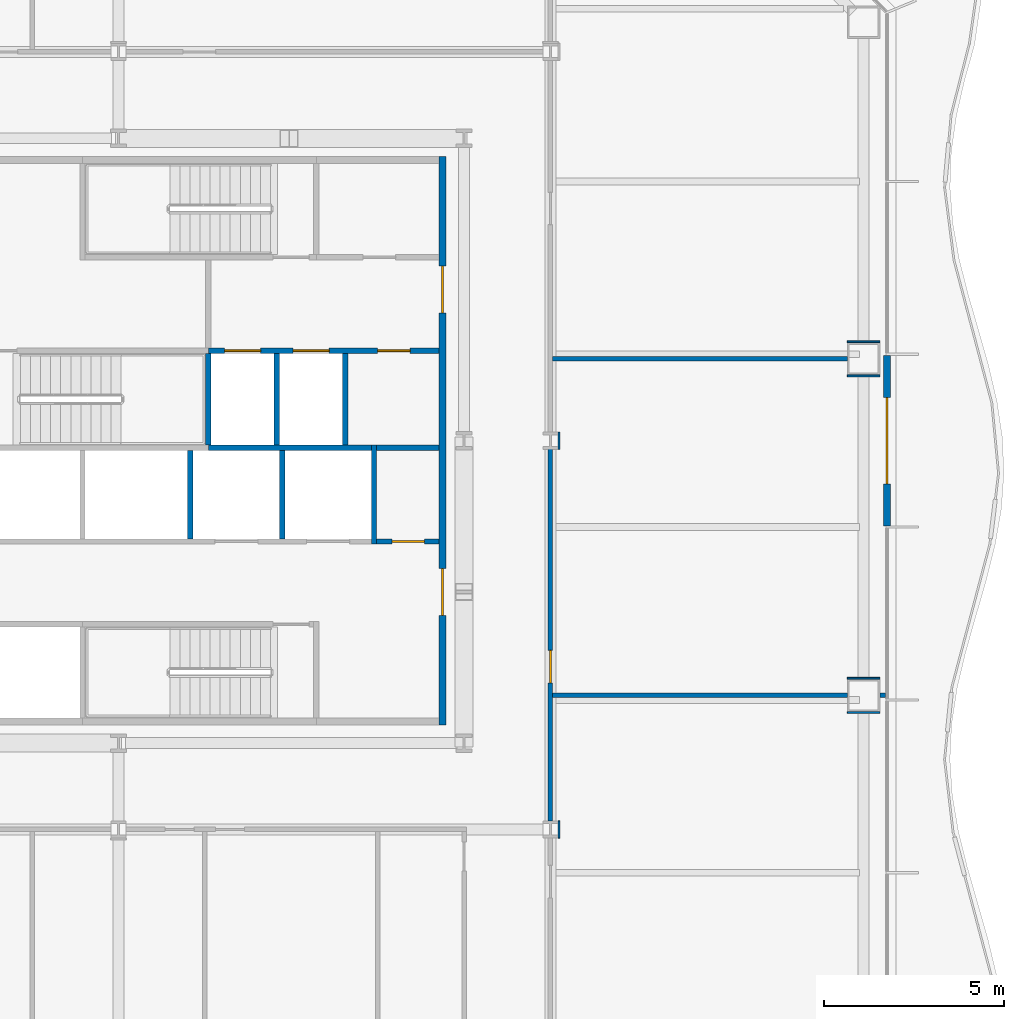
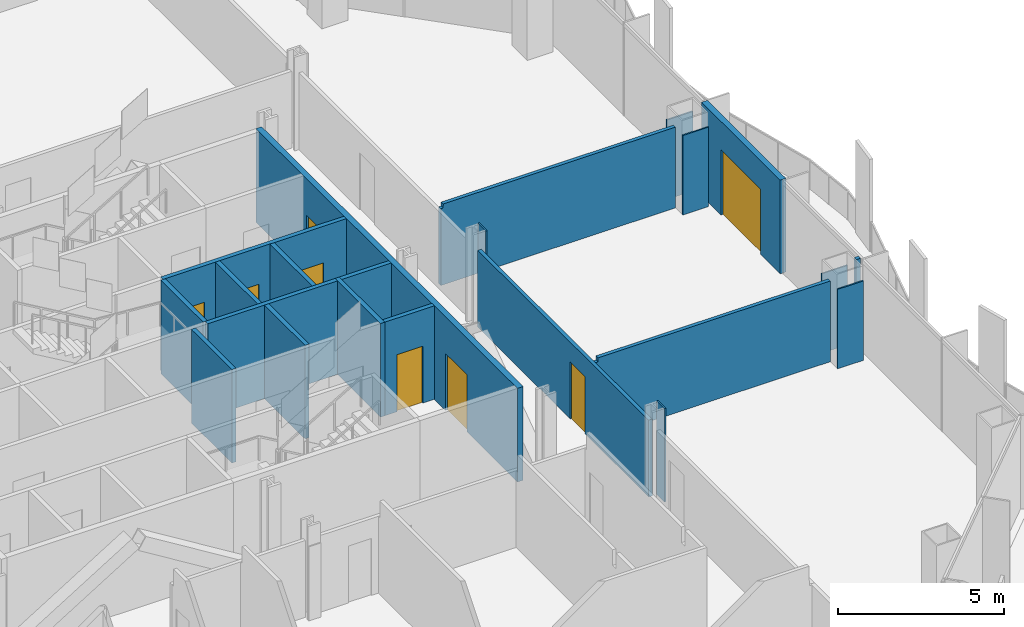
# One storey, part 9 of 18: 22 walls, 8 doors, 8 openings.
"""IFC4 building model written with IfcOpenShell, lengths in metres."""

import ifcopenshell
import ifcopenshell.guid

model = None  # the IFC model being written
_history = None  # IfcOwnerHistory: only IFC2X3 demands one
_inside = {}  # id of a spatial element -> (the spatial element, [elements in it])
_under = {}  # id of a project, library or spatial element -> (it, [spatial elements below it])
_declared = {}  # id of a project -> (the project, [libraries it declares])
_typed = {}  # id of a type object -> (the type object, [elements of that type])
_made_of = {}  # id of a material, layer set ... -> (it, [elements and type objects made of it])


def new_model(schema):
    """Start an empty IFC model of exactly this schema.

    Asked for "IFC4X3", IfcOpenShell would pick the latest addendum, in which some entities
    have other attributes; the version numbers below select the first issue.
    IFC2X3 requires an IfcOwnerHistory on every rooted entity: one is made here for all.
    """
    global model, _history
    if schema == "IFC4X3":
        model = ifcopenshell.file(schema_version=(4, 3, 0, 0))
    else:
        model = ifcopenshell.file(schema=schema)
    _inside.clear()
    _under.clear()
    _declared.clear()
    _typed.clear()
    _made_of.clear()
    _history = None
    if model.schema == "IFC2X3":
        org = make("IfcOrganization", Name="unknown")
        user = make(
            "IfcPersonAndOrganization",
            ThePerson=make("IfcPerson", FamilyName="unknown"),
            TheOrganization=org,
        )
        app = make(
            "IfcApplication",
            ApplicationDeveloper=org,
            Version="unknown",
            ApplicationFullName="unknown",
            ApplicationIdentifier="unknown",
        )
        _history = make(
            "IfcOwnerHistory",
            OwningUser=user,
            OwningApplication=app,
            ChangeAction="ADDED",
            CreationDate=0,
        )
    return model


def make(cls, **values):
    """One entity of the class cls with the attributes given. An attribute that is None is left unset."""
    return model.create_entity(
        cls, **{name: value for name, value in values.items() if value is not None}
    )


def rooted(cls, **values):
    """An entity with a GlobalId (a new one), such as an element, a storey or a relation."""
    return make(cls, GlobalId=ifcopenshell.guid.new(), OwnerHistory=_history, **values)


def si_unit(unit_type, name, prefix=None):
    """IfcSIUnit, for example si_unit("LENGTHUNIT", "METRE", prefix="MILLI")."""
    return make("IfcSIUnit", UnitType=unit_type, Prefix=prefix, Name=name)


def assignment(units):
    """IfcUnitAssignment: the units of a project."""
    return None if units is None else make("IfcUnitAssignment", Units=units)


def point(xyz):
    """IfcCartesianPoint."""
    return None if xyz is None else make("IfcCartesianPoint", Coordinates=xyz)


def direction(xyz):
    """IfcDirection."""
    return None if xyz is None else make("IfcDirection", DirectionRatios=xyz)


def frame(location, z_axis=None, x_axis=None):
    """IfcAxis2Placement3D, a coordinate frame: its origin and axes. An axis left out is left unset."""
    return make(
        "IfcAxis2Placement3D",
        Location=point(location),
        Axis=direction(z_axis),
        RefDirection=direction(x_axis),
    )


def frame_2d(location, x_axis=None):
    """IfcAxis2Placement2D, a coordinate frame in the plane: its origin and x axis."""
    return make(
        "IfcAxis2Placement2D", Location=point(location), RefDirection=direction(x_axis)
    )


def origin():
    """The frame at (0, 0, 0) with its axes left unset."""
    return frame((0.0, 0.0, 0.0))


def place(relative_to, where):
    """IfcLocalPlacement: puts the frame where relative to a parent placement (None: the world)."""
    return make(
        "IfcLocalPlacement", PlacementRelTo=relative_to, RelativePlacement=where
    )


def context(
    kind, dimensions, precision=None, world=None, true_north=None, identifier=None
):
    """IfcGeometricRepresentationContext, for example the 3D "Model" context."""
    return make(
        "IfcGeometricRepresentationContext",
        ContextIdentifier=identifier,
        ContextType=kind,
        CoordinateSpaceDimension=dimensions,
        Precision=precision,
        WorldCoordinateSystem=world,
        TrueNorth=true_north,
    )


def subcontext(parent, identifier, kind, view, scale=None):
    """IfcGeometricRepresentationSubContext, for example "Body" below "Model"."""
    return make(
        "IfcGeometricRepresentationSubContext",
        ContextIdentifier=identifier,
        ContextType=kind,
        ParentContext=parent,
        TargetScale=scale,
        TargetView=view,
    )


def project(units=None, contexts=None):
    """IfcProject with its units and contexts."""
    return rooted(
        "IfcProject",
        Name="project",
        RepresentationContexts=contexts,
        UnitsInContext=assignment(units),
    )


def spatial(cls, under=None, at=None, **own):
    """A site, building, storey or space (cls), placed at a placement, below another one or the project."""
    s = rooted(cls, ObjectPlacement=at, **own)
    if under is not None:
        _under.setdefault(under.id(), (under, []))[1].append(s)
    return s


def polyline(points):
    """IfcPolyline through the points."""
    return make("IfcPolyline", Points=[point(p) for p in points])


def profile(cls, at=None, kind="AREA", **sizes):
    """A parametric profile (cls). Its sizes go by their IFC names, for example OverallWidth=200.0."""
    return make(cls, ProfileType=kind, Position=at, **sizes)


def rectangle(**sizes):
    """IfcRectangleProfileDef."""
    return profile("IfcRectangleProfileDef", **sizes)


def outline(outer, holes=None, kind="AREA"):
    """IfcArbitraryClosedProfileDef: a profile drawn as a closed curve; with holes, ...WithVoids."""
    if holes is None:
        return make("IfcArbitraryClosedProfileDef", ProfileType=kind, OuterCurve=outer)
    return make(
        "IfcArbitraryProfileDefWithVoids",
        ProfileType=kind,
        OuterCurve=outer,
        InnerCurves=holes,
    )


def extrude(swept, where, along, depth):
    """IfcExtrudedAreaSolid: the profile swept, set in the frame where, extruded along a direction by depth."""
    return make(
        "IfcExtrudedAreaSolid",
        SweptArea=swept,
        Position=where,
        ExtrudedDirection=direction(along),
        Depth=depth,
    )


def shape(context_of_items, identifier, shape_type, items):
    """IfcShapeRepresentation: the items that make up one representation, for example the "Body"."""
    return make(
        "IfcShapeRepresentation",
        ContextOfItems=context_of_items,
        RepresentationIdentifier=identifier,
        RepresentationType=shape_type,
        Items=items,
    )


def material(Name=None, Category=None):
    """IfcMaterial."""
    return make("IfcMaterial", Name=Name, Category=Category)


def layer(
    of_material, thickness, ventilated=None, Name=None, Category=None, Priority=None
):
    """IfcMaterialLayer: one layer of a wall or slab, of a material (None: an air gap)."""
    return make(
        "IfcMaterialLayer",
        Material=of_material,
        LayerThickness=thickness,
        IsVentilated=ventilated,
        Name=Name,
        Category=Category,
        Priority=Priority,
    )


def layer_set(layers, Name=None):
    """IfcMaterialLayerSet."""
    return make("IfcMaterialLayerSet", MaterialLayers=layers, LayerSetName=Name)


def made_of(thing, what):
    """Note that an element or type object is made of a material, layer set ...; save() writes the relation."""
    if what is not None:
        _made_of.setdefault(what.id(), (what, []))[1].append(thing)
    return thing


def type_object(cls, material=None, **own):
    """A type object (cls), such as IfcWallType, which elements share."""
    return made_of(rooted(cls, **own), material)


def element(
    cls,
    number,
    at=None,
    inside=None,
    cuts=None,
    type_object=None,
    material=None,
    context=None,
    identifier="Body",
    shape_type=None,
    held_by="IfcProductDefinitionShape",
    body=None,
    shapes=None,
    **own,
):
    """One element of the class cls, such as IfcWall. Its Tag is "e" and its number.

    at: its placement. inside: the storey or other place that contains it. cuts: it is an
    opening in that element (IfcRelVoidsElement). A single representation is given by context,
    identifier, shape_type and body (its items); several are given by shapes. held_by: the class
    of the entity that holds the representations. save() writes the other relations.
    """
    e = rooted(cls, Tag="e%d" % number, ObjectPlacement=at, **own)
    if body is not None:
        shapes = [shape(context, identifier, shape_type, body)]
    if shapes is not None:
        e.Representation = make(held_by, Representations=shapes)
    if inside is not None:
        _inside.setdefault(inside.id(), (inside, []))[1].append(e)
    if cuts is not None:
        rooted(
            "IfcRelVoidsElement", RelatingBuildingElement=cuts, RelatedOpeningElement=e
        )
    if type_object is not None:
        _typed.setdefault(type_object.id(), (type_object, []))[1].append(e)
    return made_of(e, material)


def fill(opening, filler):
    """IfcRelFillsElement: the door or window that sits in an opening."""
    return rooted(
        "IfcRelFillsElement",
        RelatingOpeningElement=opening,
        RelatedBuildingElement=filler,
    )


def aggregate(whole, parts):
    """IfcRelAggregates: a whole, such as a stair, and the parts it consists of."""
    return rooted("IfcRelAggregates", RelatingObject=whole, RelatedObjects=parts)


def save(model, path):
    """Write the relations noted so far, then the file.

    IfcRelAggregates (storeys below a building ...), IfcRelContainedInSpatialStructure (elements
    in a storey), IfcRelDefinesByType, IfcRelAssociatesMaterial and IfcRelDeclares: one each for
    every whole, place, type object, material and project.
    """
    for whole, parts in _under.values():
        aggregate(whole, parts)
    for where, things in _inside.values():
        rooted(
            "IfcRelContainedInSpatialStructure",
            RelatedElements=things,
            RelatingStructure=where,
        )
    for kind, things in _typed.values():
        rooted("IfcRelDefinesByType", RelatedObjects=things, RelatingType=kind)
    for what, things in _made_of.values():
        rooted("IfcRelAssociatesMaterial", RelatedObjects=things, RelatingMaterial=what)
    for by, libraries in _declared.values():
        rooted("IfcRelDeclares", RelatingContext=by, RelatedDefinitions=libraries)
    model.write(path)


model = new_model("IFC4")

# Units and contexts
model_context = context("Model", 3, precision=1e-05, world=origin(), true_north=direction((0.0, 1.0)))
body_context = subcontext(model_context, "Body", "Model", "MODEL_VIEW")
ifc_project = project(units=[si_unit("LENGTHUNIT", "METRE"), si_unit("AREAUNIT", "SQUARE_METRE"), si_unit("VOLUMEUNIT", "CUBIC_METRE"), si_unit("PLANEANGLEUNIT", "RADIAN"), si_unit("MASSUNIT", "GRAM", prefix="KILO")], contexts=[model_context])

# Site, building, storey
site_placement = place(None, origin())
site = spatial("IfcSite", under=ifc_project, at=site_placement, CompositionType="ELEMENT")
building_placement = place(site_placement, origin())
building = spatial("IfcBuilding", under=site, at=building_placement, Name="Cairn Pilgrim Tower", CompositionType="ELEMENT")
storey_placement = place(building_placement, frame((0.0, 0.0, 72.60009765625)))
storey = spatial("IfcBuildingStorey", under=building, at=storey_placement, Name="L16", CompositionType="ELEMENT", Elevation=72.60009765625)

# Wall, opening, door
ifc_material_1 = material(Name="Bronze anodised aluminium insulated sandwich panel with mineral wool fill", Category="aluminium")
ifc_layer_1 = layer(ifc_material_1, 0.199951171875)
ifc_layer_set_1 = layer_set([ifc_layer_1], Name="BRONZE INFILL FRAME WALL 200")
wall_type_1 = type_object("IfcWallType", Name="BRONZE INFILL FRAME WALL 200", PredefinedType="NOTDEFINED", material=ifc_layer_set_1)
wall_1_placement = place(storey_placement, frame((28.550048828125, 0.030029296875, 0.0), z_axis=(0.0, 0.0, 1.0), x_axis=(0.0, 1.0, 0.0)))
wall_1 = element("IfcWall", 1, at=wall_1_placement, inside=storey, type_object=wall_type_1, Name="Bronze infill frame wall IW-E4", PredefinedType="NOTDEFINED", context=body_context, shape_type="SweptSolid", body=[
    extrude(rectangle(XDim=4.739990234375, YDim=0.199951171875, at=frame_2d((2.3701171875, 0.0))), origin(), (0.0, 0.0, 1.0), 3.449951171875),
])
opening_1_placement = place(wall_1_placement, frame((1.169921875, 0.0, 0.0)))
opening_1 = element("IfcOpeningElement", 2, at=opening_1_placement, cuts=wall_1, Name="Opening 1615B", PredefinedType="OPENING", context=body_context, shape_type="SweptSolid", body=[
    extrude(rectangle(XDim=2.39990234375, YDim=2.39990234375, at=frame_2d((1.199951171875, 1.199951171875))), frame((0.0, 0.10986328125, 0.0), z_axis=(0.0, -1.0, 0.0), x_axis=(1.0, 0.0, 0.0)), (0.0, 0.0, 1.0), 0.219970703125),
])
ifc_material_2 = material(Name="Bronze anodised aluminium frame with tinted low-E glass", Category="aluminium")
door_type_1 = type_object("IfcDoorType", Name="BALCONY SLIDING DOOR 2400x2400", OperationType="DOUBLE_DOOR_SLIDING", PredefinedType="DOOR", material=ifc_material_2)
door_1_placement = place(opening_1_placement, origin())
door_1 = element("IfcDoor", 3, at=door_1_placement, inside=storey, type_object=door_type_1, Name="Balcony sliding door 1615B", OperationType="SINGLE_SWING_LEFT", OverallHeight=2.39990234375, OverallWidth=2.39990234375, PredefinedType="DOOR", context=body_context, shape_type="SweptSolid", body=[
    extrude(rectangle(XDim=2.39990234375, YDim=2.39990234375, at=frame_2d((1.199951171875, 1.199951171875))), frame((0.0, 0.02490234375, 0.0), z_axis=(0.0, -1.0, 0.0), x_axis=(1.0, 0.0, 0.0)), (0.0, 0.0, 1.0), 0.050048828125),
])
fill(opening_1, door_1)

# Wall, openings, doors
ifc_material_3 = material(Name="Concrete C32/40", Category="concrete")
ifc_layer_2 = layer(ifc_material_3, 0.199951171875)
ifc_layer_set_2 = layer_set([ifc_layer_2], Name="CORE OUTER WALL 200 EI 120")
wall_type_2 = type_object("IfcWallType", Name="CORE OUTER WALL 200 EI 120", PredefinedType="SOLIDWALL", material=ifc_layer_set_2)
wall_2_placement = place(storey_placement, frame((16.199951171875, -5.5, 0.0), z_axis=(0.0, 0.0, 1.0), x_axis=(0.0, 1.0, 0.0)))
wall_2 = element("IfcWall", 4, at=wall_2_placement, inside=storey, type_object=wall_type_2, Name="CW:L16:V32", PredefinedType="SOLIDWALL", context=body_context, shape_type="SweptSolid", body=[
    extrude(rectangle(XDim=15.800048828125, YDim=0.199951171875, at=frame_2d((7.89990234375, 0.0))), origin(), (0.0, 0.0, 1.0), 3.449951171875),
])
opening_2_placement = place(wall_2_placement, frame((3.050048828125, 0.0, 0.0)))
opening_2 = element("IfcOpeningElement", 5, at=opening_2_placement, cuts=wall_2, Name="Opening CD-E1", PredefinedType="OPENING", context=body_context, shape_type="SweptSolid", body=[
    extrude(rectangle(XDim=1.300048828125, YDim=2.10009765625, at=frame_2d((0.64990234375, 1.050048828125))), frame((0.0, 0.10986328125, 0.0), z_axis=(0.0, -1.0, 0.0), x_axis=(1.0, 0.0, 0.0)), (0.0, 0.0, 1.0), 0.219970703125),
])
opening_3_placement = place(wall_2_placement, frame((11.449951171875, 0.0, 0.0)))
opening_3 = element("IfcOpeningElement", 6, at=opening_3_placement, cuts=wall_2, Name="Opening CD-E2", PredefinedType="OPENING", context=body_context, shape_type="SweptSolid", body=[
    extrude(rectangle(XDim=1.300048828125, YDim=2.10009765625, at=frame_2d((0.64990234375, 1.050048828125))), frame((0.0, 0.10986328125, 0.0), z_axis=(0.0, -1.0, 0.0), x_axis=(1.0, 0.0, 0.0)), (0.0, 0.0, 1.0), 0.219970703125),
])
ifc_material_4 = material(Name="Painted steel", Category="steel")
door_type_2 = type_object("IfcDoorType", Name="CORE LOBBY DOOR 1300x2100", OperationType="DOUBLE_DOOR_SINGLE_SWING", PredefinedType="DOOR", material=ifc_material_4)
door_2_placement = place(opening_2_placement, origin())
door_2 = element("IfcDoor", 7, at=door_2_placement, inside=storey, type_object=door_type_2, Name="CD-E1", OperationType="DOUBLE_DOOR_SINGLE_SWING", OverallHeight=2.10009765625, OverallWidth=1.300048828125, PredefinedType="DOOR", context=body_context, shape_type="SweptSolid", body=[
    extrude(rectangle(XDim=1.300048828125, YDim=2.10009765625, at=frame_2d((0.64990234375, 1.050048828125))), frame((0.0, 0.02490234375, 0.0), z_axis=(0.0, -1.0, 0.0), x_axis=(1.0, 0.0, 0.0)), (0.0, 0.0, 1.0), 0.050048828125),
])
fill(opening_2, door_2)
door_3_placement = place(opening_3_placement, origin())
door_3 = element("IfcDoor", 8, at=door_3_placement, inside=storey, type_object=door_type_2, Name="CD-E2", OperationType="DOUBLE_DOOR_SINGLE_SWING", OverallHeight=2.10009765625, OverallWidth=1.300048828125, PredefinedType="DOOR", context=body_context, shape_type="SweptSolid", body=[
    extrude(rectangle(XDim=1.300048828125, YDim=2.10009765625, at=frame_2d((0.64990234375, 1.050048828125))), frame((0.0, 0.02490234375, 0.0), z_axis=(0.0, -1.0, 0.0), x_axis=(1.0, 0.0, 0.0)), (0.0, 0.0, 1.0), 0.050048828125),
])
fill(opening_3, door_3)

# Wall, opening, door
ifc_layer_3 = layer(ifc_material_3, 0.14990234375)
ifc_layer_set_3 = layer_set([ifc_layer_3], Name="CORE PARTITION 150 EI 60")
wall_type_3 = type_object("IfcWallType", Name="CORE PARTITION 150 EI 60", PredefinedType="PARTITIONING", material=ifc_layer_set_3)
wall_3_placement = place(storey_placement, frame((14.375, -0.39990234375, 0.0), z_axis=(0.0, 0.0, 1.0), x_axis=(1.0, 0.0, 0.0)))
wall_3 = element("IfcWall", 9, at=wall_3_placement, inside=storey, type_object=wall_type_3, Name="CW:L16:H04", PredefinedType="PARTITIONING", context=body_context, shape_type="SweptSolid", body=[
    extrude(rectangle(XDim=1.72509765625, YDim=0.14990234375, at=frame_2d((0.862548828125, 0.0))), origin(), (0.0, 0.0, 1.0), 3.449951171875),
])
opening_4_placement = place(wall_3_placement, frame((0.425048828125, 0.0, 0.0)))
opening_4 = element("IfcOpeningElement", 10, at=opening_4_placement, cuts=wall_3, Name="Opening RD-R2E", PredefinedType="OPENING", context=body_context, shape_type="SweptSolid", body=[
    extrude(rectangle(XDim=0.89990234375, YDim=2.10009765625, at=frame_2d((0.449951171875, 1.050048828125))), frame((0.0, 0.0849609375, 0.0), z_axis=(0.0, -1.0, 0.0), x_axis=(1.0, 0.0, 0.0)), (0.0, 0.0, 1.0), 0.169921875),
])
door_type_3 = type_object("IfcDoorType", Name="SERVICE ROOM DOOR 900x2100", OperationType="SINGLE_SWING_LEFT", PredefinedType="DOOR", material=ifc_material_4)
door_4_placement = place(opening_4_placement, origin())
door_4 = element("IfcDoor", 11, at=door_4_placement, inside=storey, type_object=door_type_3, Name="RD-R2E", OperationType="SINGLE_SWING_RIGHT", OverallHeight=2.10009765625, OverallWidth=0.89990234375, PredefinedType="DOOR", context=body_context, shape_type="SweptSolid", body=[
    extrude(rectangle(XDim=0.89990234375, YDim=2.10009765625, at=frame_2d((0.449951171875, 1.050048828125))), frame((0.0, 0.02490234375, 0.0), z_axis=(0.0, -1.0, 0.0), x_axis=(1.0, 0.0, 0.0)), (0.0, 0.0, 1.0), 0.050048828125),
])
fill(opening_4, door_4)

# Walls
wall_4_placement = place(storey_placement, frame((14.375, 2.199951171875, 0.0), z_axis=(0.0, 0.0, 1.0), x_axis=(1.0, 0.0, 0.0)))
element("IfcWall", 12, at=wall_4_placement, inside=storey, type_object=wall_type_3, Name="CW:L16:H06", PredefinedType="PARTITIONING", context=body_context, shape_type="SweptSolid", body=[
    extrude(rectangle(XDim=1.72509765625, YDim=0.14990234375, at=frame_2d((0.862548828125, 0.0))), origin(), (0.0, 0.0, 1.0), 3.449951171875),
])
ifc_layer_4 = layer(ifc_material_3, 0.14990234375)
ifc_layer_set_4 = layer_set([ifc_layer_4], Name="CORE SHAFT WALL 150 EI 120")
wall_type_4 = type_object("IfcWallType", Name="CORE SHAFT WALL 150 EI 120", PredefinedType="SOLIDWALL", material=ifc_layer_set_4)
wall_5_placement = place(storey_placement, frame((9.699951171875, 2.199951171875, 0.0), z_axis=(0.0, 0.0, 1.0), x_axis=(1.0, 0.0, 0.0)))
element("IfcWall", 13, at=wall_5_placement, inside=storey, type_object=wall_type_4, Name="CW:L16:H05-3", PredefinedType="SOLIDWALL", context=body_context, shape_type="SweptSolid", body=[
    extrude(rectangle(XDim=4.525146484375, YDim=0.14990234375, at=frame_2d((2.2626953125, 0.0))), origin(), (0.0, 0.0, 1.0), 3.449951171875),
])

# Wall, openings, doors
wall_6_placement = place(storey_placement, frame((9.699951171875, 4.89990234375, 0.0), z_axis=(0.0, 0.0, 1.0), x_axis=(1.0, 0.0, 0.0)))
wall_6 = element("IfcWall", 14, at=wall_6_placement, inside=storey, type_object=wall_type_4, Name="CW:L16:H08-2", PredefinedType="SOLIDWALL", context=body_context, shape_type="SweptSolid", body=[
    extrude(rectangle(XDim=6.400146484375, YDim=0.14990234375, at=frame_2d((3.2001953125, 0.0))), origin(), (0.0, 0.0, 1.0), 3.449951171875),
])
opening_5_placement = place(wall_6_placement, frame((0.449951171875, 0.0, 0.0)))
opening_5 = element("IfcOpeningElement", 15, at=opening_5_placement, cuts=wall_6, Name="Opening LD-FF1", PredefinedType="OPENING", context=body_context, shape_type="SweptSolid", body=[
    extrude(rectangle(XDim=1.0, YDim=2.10009765625, at=frame_2d((0.5, 1.050048828125))), frame((0.0, 0.0849609375, 0.0), z_axis=(0.0, -1.0, 0.0), x_axis=(1.0, 0.0, 0.0)), (0.0, 0.0, 1.0), 0.169921875),
])
opening_6_placement = place(wall_6_placement, frame((2.35009765625, 0.0, 0.0)))
opening_6 = element("IfcOpeningElement", 16, at=opening_6_placement, cuts=wall_6, Name="Opening LD-FF2", PredefinedType="OPENING", context=body_context, shape_type="SweptSolid", body=[
    extrude(rectangle(XDim=1.0, YDim=2.10009765625, at=frame_2d((0.5, 1.050048828125))), frame((0.0, 0.0849609375, 0.0), z_axis=(0.0, -1.0, 0.0), x_axis=(1.0, 0.0, 0.0)), (0.0, 0.0, 1.0), 0.169921875),
])
opening_7_placement = place(wall_6_placement, frame((4.699951171875, 0.0, 0.0)))
opening_7 = element("IfcOpeningElement", 17, at=opening_7_placement, cuts=wall_6, Name="Opening RD-R3E", PredefinedType="OPENING", context=body_context, shape_type="SweptSolid", body=[
    extrude(rectangle(XDim=0.89990234375, YDim=2.10009765625, at=frame_2d((0.449951171875, 1.050048828125))), frame((0.0, 0.0849609375, 0.0), z_axis=(0.0, -1.0, 0.0), x_axis=(1.0, 0.0, 0.0)), (0.0, 0.0, 1.0), 0.169921875),
])
ifc_material_5 = material(Name="Stainless steel", Category="steel")
door_type_4 = type_object("IfcDoorType", Name="LIFT LANDING DOOR FIRE 1000x2100", OperationType="DOUBLE_DOOR_SLIDING", PredefinedType="DOOR", material=ifc_material_5)
door_5_placement = place(opening_5_placement, origin())
door_5 = element("IfcDoor", 18, at=door_5_placement, inside=storey, type_object=door_type_4, Name="LANDING DOOR FF1", OperationType="DOUBLE_DOOR_SLIDING", OverallHeight=2.10009765625, OverallWidth=1.0, PredefinedType="DOOR", context=body_context, shape_type="SweptSolid", body=[
    extrude(rectangle(XDim=1.0, YDim=2.10009765625, at=frame_2d((0.5, 1.050048828125))), frame((0.0, 0.02490234375, 0.0), z_axis=(0.0, -1.0, 0.0), x_axis=(1.0, 0.0, 0.0)), (0.0, 0.0, 1.0), 0.050048828125),
])
fill(opening_5, door_5)
door_6_placement = place(opening_6_placement, origin())
door_6 = element("IfcDoor", 19, at=door_6_placement, inside=storey, type_object=door_type_4, Name="LANDING DOOR FF2", OperationType="DOUBLE_DOOR_SLIDING", OverallHeight=2.10009765625, OverallWidth=1.0, PredefinedType="DOOR", context=body_context, shape_type="SweptSolid", body=[
    extrude(rectangle(XDim=1.0, YDim=2.10009765625, at=frame_2d((0.5, 1.050048828125))), frame((0.0, 0.02490234375, 0.0), z_axis=(0.0, -1.0, 0.0), x_axis=(1.0, 0.0, 0.0)), (0.0, 0.0, 1.0), 0.050048828125),
])
fill(opening_6, door_6)
door_7_placement = place(opening_7_placement, origin())
door_7 = element("IfcDoor", 20, at=door_7_placement, inside=storey, type_object=door_type_3, Name="RD-R3E", OperationType="SINGLE_SWING_LEFT", OverallHeight=2.10009765625, OverallWidth=0.89990234375, PredefinedType="DOOR", context=body_context, shape_type="SweptSolid", body=[
    extrude(rectangle(XDim=0.89990234375, YDim=2.10009765625, at=frame_2d((0.449951171875, 1.050048828125))), frame((0.0, 0.02490234375, 0.0), z_axis=(0.0, -1.0, 0.0), x_axis=(1.0, 0.0, 0.0)), (0.0, 0.0, 1.0), 0.050048828125),
])
fill(opening_7, door_7)

# Walls
wall_7_placement = place(storey_placement, frame((9.199951171875, -0.324951171875, 0.0), z_axis=(0.0, 0.0, 1.0), x_axis=(0.0, 1.0, 0.0)))
element("IfcWall", 21, at=wall_7_placement, inside=storey, type_object=wall_type_4, Name="CW:L16:V23", PredefinedType="SOLIDWALL", context=body_context, shape_type="SweptSolid", body=[
    extrude(rectangle(XDim=2.449951171875, YDim=0.14990234375, at=frame_2d((1.22509765625, 0.0))), origin(), (0.0, 0.0, 1.0), 3.449951171875),
])
wall_8_placement = place(storey_placement, frame((11.60009765625, 2.27490234375, 0.0), z_axis=(0.0, 0.0, 1.0), x_axis=(0.0, 1.0, 0.0)))
element("IfcWall", 22, at=wall_8_placement, inside=storey, type_object=wall_type_4, Name="CW:L16:V26", PredefinedType="SOLIDWALL", context=body_context, shape_type="SweptSolid", body=[
    extrude(rectangle(XDim=2.550048828125, YDim=0.14990234375, at=frame_2d((1.27490234375, 0.0))), origin(), (0.0, 0.0, 1.0), 3.449951171875),
])
wall_9_placement = place(storey_placement, frame((11.75, -0.324951171875, 0.0), z_axis=(0.0, 0.0, 1.0), x_axis=(0.0, 1.0, 0.0)))
element("IfcWall", 23, at=wall_9_placement, inside=storey, type_object=wall_type_4, Name="CW:L16:V27", PredefinedType="SOLIDWALL", context=body_context, shape_type="SweptSolid", body=[
    extrude(rectangle(XDim=2.449951171875, YDim=0.14990234375, at=frame_2d((1.22509765625, 0.0))), origin(), (0.0, 0.0, 1.0), 3.449951171875),
])
wall_10_placement = place(storey_placement, frame((13.5, 2.27490234375, 0.0), z_axis=(0.0, 0.0, 1.0), x_axis=(0.0, 1.0, 0.0)))
element("IfcWall", 24, at=wall_10_placement, inside=storey, type_object=wall_type_4, Name="CW:L16:V30", PredefinedType="SOLIDWALL", context=body_context, shape_type="SweptSolid", body=[
    extrude(rectangle(XDim=2.550048828125, YDim=0.14990234375, at=frame_2d((1.27490234375, 0.0))), origin(), (0.0, 0.0, 1.0), 3.449951171875),
])
wall_11_placement = place(storey_placement, frame((14.300048828125, -0.47509765625, 0.0), z_axis=(0.0, 0.0, 1.0), x_axis=(0.0, 1.0, 0.0)))
element("IfcWall", 25, at=wall_11_placement, inside=storey, type_object=wall_type_4, Name="CW:L16:V31", PredefinedType="SOLIDWALL", context=body_context, shape_type="SweptSolid", body=[
    extrude(rectangle(XDim=2.75, YDim=0.14990234375, at=frame_2d((1.375, 0.0))), origin(), (0.0, 0.0, 1.0), 3.449951171875),
])

# Wall, opening, door
ifc_material_6 = material(Name="Gypsum partition")
ifc_layer_5 = layer(ifc_material_6, 0.125)
ifc_layer_set_5 = layer_set([ifc_layer_5], Name="PARTITION 125 DRYWALL EI 60")
wall_type_5 = type_object("IfcWallType", Name="PARTITION 125 DRYWALL EI 60", PredefinedType="PARTITIONING", material=ifc_layer_set_5)
wall_12_placement = place(storey_placement, frame((19.199951171875, -8.1630859375, 0.0), z_axis=(0.0, 0.0, 1.0), x_axis=(0.0, 1.0, 0.0)))
wall_12 = element("IfcWall", 26, at=wall_12_placement, inside=storey, type_object=wall_type_5, Name="PARTITION W031", PredefinedType="PARTITIONING", context=body_context, shape_type="SweptSolid", body=[
    extrude(rectangle(XDim=10.326171875, YDim=0.125, at=frame_2d((5.1630859375, 0.0))), origin(), (0.0, 0.0, 1.0), 2.829833984375),
])
opening_8_placement = place(wall_12_placement, frame((3.839111328125, 0.0, 0.0)))
opening_8 = element("IfcOpeningElement", 27, at=opening_8_placement, cuts=wall_12, Name="Opening 1615", PredefinedType="OPENING", context=body_context, shape_type="SweptSolid", body=[
    extrude(rectangle(XDim=0.89990234375, YDim=2.10009765625, at=frame_2d((0.449951171875, 1.050048828125))), frame((0.0, 0.072509765625, 0.0), z_axis=(0.0, -1.0, 0.0), x_axis=(1.0, 0.0, 0.0)), (0.0, 0.0, 1.0), 0.14501953125),
])
ifc_material_7 = material(Name="Steel-faced fire door leaf", Category="steel")
door_type_5 = type_object("IfcDoorType", Name="FIRE DOOR 900x2100 FD30S", OperationType="NOTDEFINED", PredefinedType="DOOR", material=ifc_material_7)
door_8_placement = place(opening_8_placement, frame((0.89990234375, 0.0, 0.0), z_axis=(0.0, 0.0, 1.0), x_axis=(-1.0, 0.0, 0.0)))
door_8 = element("IfcDoor", 28, at=door_8_placement, inside=storey, type_object=door_type_5, Name="DOOR 1615", OperationType="SINGLE_SWING_RIGHT", OverallHeight=2.10009765625, OverallWidth=0.89990234375, PredefinedType="DOOR", context=body_context, shape_type="SweptSolid", body=[
    extrude(rectangle(XDim=0.89990234375, YDim=2.10009765625, at=frame_2d((0.449951171875, 1.050048828125))), frame((0.0, 0.02490234375, 0.0), z_axis=(0.0, -1.0, 0.0), x_axis=(1.0, 0.0, 0.0)), (0.0, 0.0, 1.0), 0.050048828125),
])
fill(opening_8, door_8)

# Walls
wall_13_placement = place(storey_placement, frame((19.262451171875, -4.676025390625, 0.0), z_axis=(0.0, 0.0, 1.0), x_axis=(1.0, 0.0, 0.0)))
element("IfcWall", 29, at=wall_13_placement, inside=storey, type_object=wall_type_5, Name="PARTITION W033", PredefinedType="PARTITIONING", context=body_context, shape_type="SweptSolid", body=[
    extrude(outline(polyline([(0.0, 0.0), (8.1875, 0.0), (8.1875, 2.97998046875), (0.08740234375, 2.97998046875), (0.08544921875, 2.829833984375), (0.0, 2.829833984375), (0.0, 0.0)])), frame((0.0, 0.0625, 0.0), z_axis=(0.0, -1.0, 0.0), x_axis=(1.0, 0.0, 0.0)), (0.0, 0.0, 1.0), 0.125),
])
wall_14_placement = place(storey_placement, frame((28.35009765625, -4.676025390625, 0.0), z_axis=(0.0, 0.0, 1.0), x_axis=(1.0, 0.0, 0.0)))
element("IfcWall", 30, at=wall_14_placement, inside=storey, type_object=wall_type_5, Name="PARTITION W034", PredefinedType="PARTITIONING", context=body_context, shape_type="SweptSolid", body=[
    extrude(rectangle(XDim=0.15283203125, YDim=0.125, at=frame_2d((0.076416015625, 0.0))), origin(), (0.0, 0.0, 1.0), 3.449951171875),
])
wall_15_placement = place(storey_placement, frame((19.262451171875, 4.676025390625, 0.0), z_axis=(0.0, 0.0, 1.0), x_axis=(1.0, 0.0, 0.0)))
element("IfcWall", 31, at=wall_15_placement, inside=storey, type_object=wall_type_5, Name="PARTITION W047", PredefinedType="PARTITIONING", context=body_context, shape_type="SweptSolid", body=[
    extrude(outline(polyline([(0.0, 0.0), (8.1875, 0.0), (8.1875, 2.97998046875), (0.08740234375, 2.97998046875), (0.08544921875, 2.829833984375), (0.0, 2.829833984375), (0.0, 0.0)])), frame((0.0, 0.0625, 0.0), z_axis=(0.0, -1.0, 0.0), x_axis=(1.0, 0.0, 0.0)), (0.0, 0.0, 1.0), 0.125),
])
ifc_layer_6 = layer(ifc_material_6, 0.050048828125)
ifc_layer_set_6 = layer_set([ifc_layer_6], Name="PARTITION 50 DRYWALL EI 60")
wall_type_6 = type_object("IfcWallType", Name="PARTITION 50 DRYWALL EI 60", PredefinedType="PARTITIONING", material=ifc_layer_set_6)
for number, where, z_axis, x_axis, name in (
    (32, (19.43701171875, -8.636962890625, 0.0), (0.0, 0.0, 1.0), (0.0, 1.0, 0.0), "COLUMN CASING WC03"),
    (33, (19.43701171875, 2.1630859375, 0.0), (0.0, 0.0, 1.0), (0.0, 1.0, 0.0), "COLUMN CASING WC04"),
):
    element("IfcWall", number, at=place(storey_placement, frame(where, z_axis=z_axis, x_axis=x_axis)), inside=storey, type_object=wall_type_6, Name=name, PredefinedType="PARTITIONING", context=body_context, shape_type="SweptSolid", body=[
        extrude(rectangle(XDim=0.473876953125, YDim=0.050048828125, at=frame_2d((0.23681640625, 0.0))), origin(), (0.0, 0.0, 1.0), 3.449951171875),
    ])
for number, where, z_axis, x_axis, name in (
    (34, (27.449951171875, -4.20068359375, 0.0), (0.0, 0.0, 1.0), (1.0, 0.0, 0.0), "COLUMN CASING WC12"),
    (35, (27.449951171875, -5.150634765625, 0.0), (0.0, 0.0, 1.0), (1.0, 0.0, 0.0), "COLUMN CASING WC13"),
    (36, (27.449951171875, 5.150634765625, 0.0), (0.0, 0.0, 1.0), (1.0, 0.0, 0.0), "COLUMN CASING WC18"),
    (37, (27.449951171875, 4.20068359375, 0.0), (0.0, 0.0, 1.0), (1.0, 0.0, 0.0), "COLUMN CASING WC19"),
):
    element("IfcWall", number, at=place(storey_placement, frame(where, z_axis=z_axis, x_axis=x_axis)), inside=storey, type_object=wall_type_6, Name=name, PredefinedType="PARTITIONING", context=body_context, shape_type="SweptSolid", body=[
        extrude(rectangle(XDim=0.900146484375, YDim=0.050048828125, at=frame_2d((0.4501953125, 0.0))), origin(), (0.0, 0.0, 1.0), 2.929931640625),
    ])
ifc_material_8 = material(Name="Concrete C35/45", Category="concrete")
ifc_layer_7 = layer(ifc_material_8, 0.14990234375)
ifc_layer_set_7 = layer_set([ifc_layer_7], Name="STAIR SHAFT WALL 150 EI 120")
wall_type_7 = type_object("IfcWallType", Name="STAIR SHAFT WALL 150 EI 120", PredefinedType="SOLIDWALL", material=ifc_layer_set_7)
wall_16_placement = place(storey_placement, frame((9.699951171875, 2.27490234375, 0.0), z_axis=(0.0, 0.0, 1.0), x_axis=(0.0, 1.0, 0.0)))
element("IfcWall", 38, at=wall_16_placement, inside=storey, type_object=wall_type_7, Name="CW:L16:V24", PredefinedType="SOLIDWALL", context=body_context, shape_type="SweptSolid", body=[
    extrude(rectangle(XDim=2.550048828125, YDim=0.14990234375, at=frame_2d((1.27490234375, 0.0))), origin(), (0.0, 0.0, 1.0), 3.449951171875),
])

save(model, "model.ifc")
